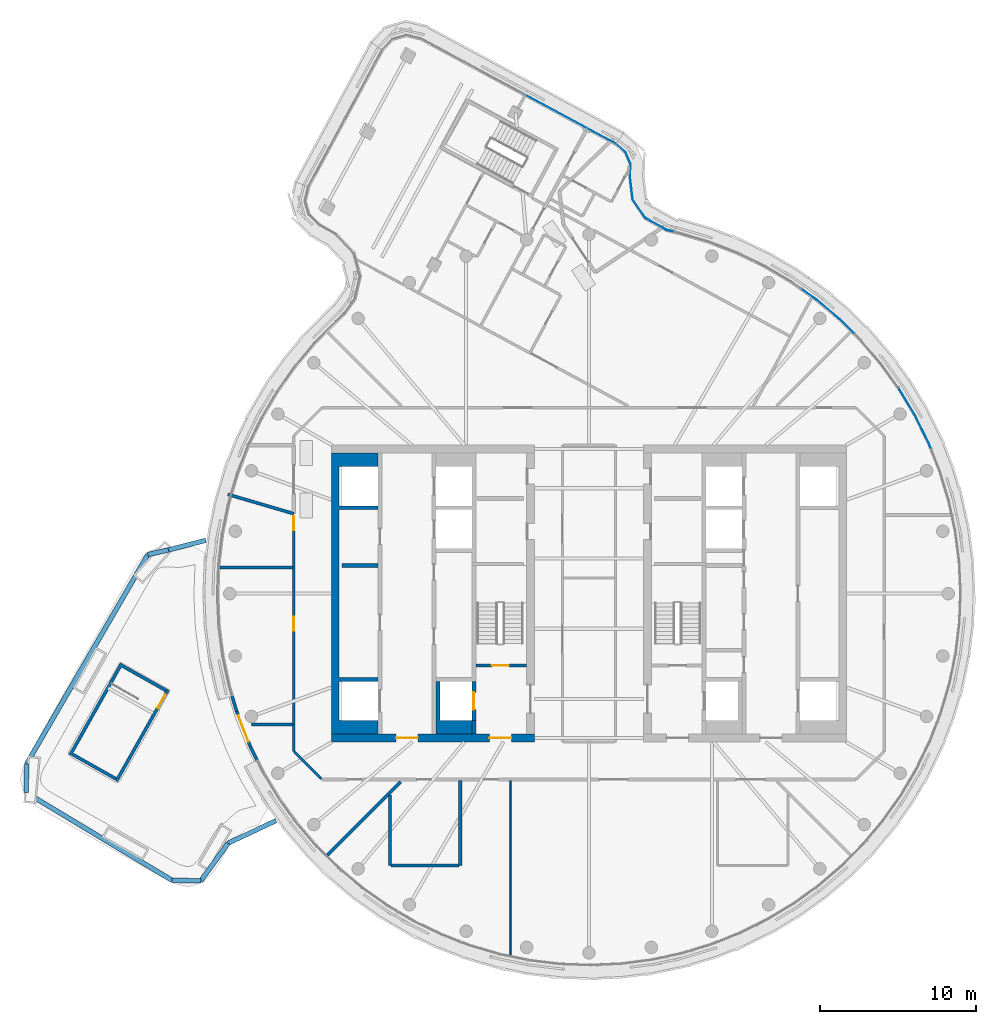
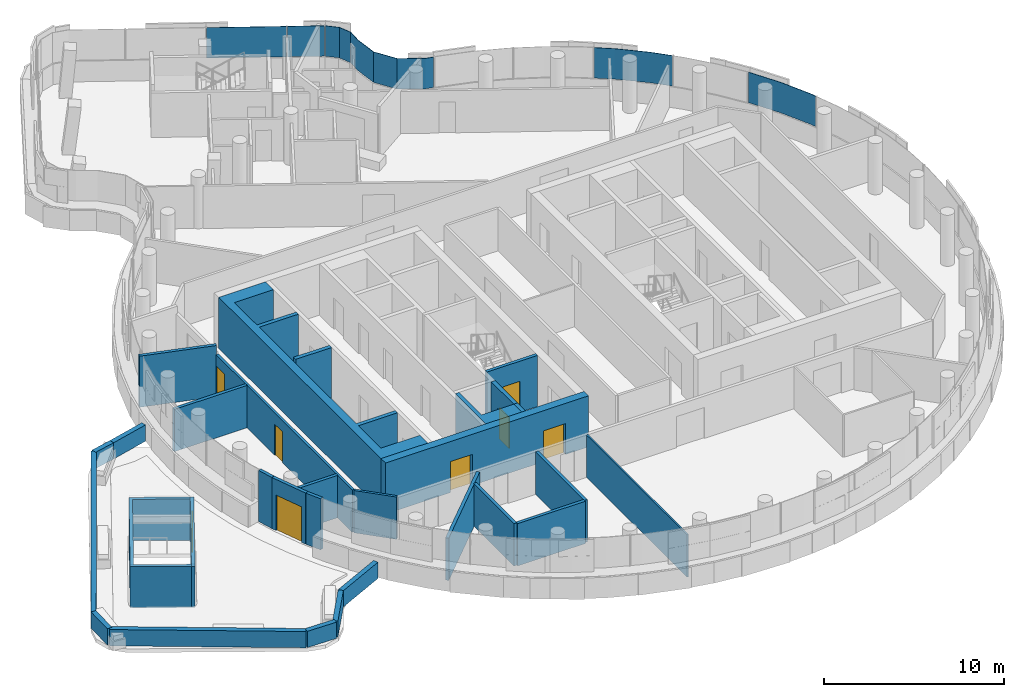
# One storey, part 13 of 22: 30 walls, 8 doors, 5 plates, 8 openings, 2 elements without a shape of their own.
"""IFC4 building model written with IfcOpenShell, lengths in metres."""

from ifc_helpers import new_model, si_unit, direction, frame, frame_2d, origin, place, context, subcontext, project, spatial, polyline, rectangle, outline, extrude, material, layer, layer_set, type_object, element, fill, aggregate, save


model = new_model("IFC4")

# Units and contexts
model_context = context("Model", 3, precision=1e-05, world=origin(), true_north=direction((0.0, 1.0)))
body_context = subcontext(model_context, "Body", "Model", "MODEL_VIEW")
ifc_project = project(units=[si_unit("LENGTHUNIT", "METRE"), si_unit("AREAUNIT", "SQUARE_METRE"), si_unit("VOLUMEUNIT", "CUBIC_METRE"), si_unit("PLANEANGLEUNIT", "RADIAN"), si_unit("MASSUNIT", "GRAM", prefix="KILO")], contexts=[model_context])

# Site, building, storey
site_placement = place(None, origin())
site = spatial("IfcSite", under=ifc_project, at=site_placement, CompositionType="ELEMENT")
building_placement = place(site_placement, origin())
building = spatial("IfcBuilding", under=site, at=building_placement, Name="Tamarind Cross Interchange Tower", CompositionType="ELEMENT")
storey_placement = place(building_placement, frame((0.0, 0.0, 256.800048828125)))
storey = spatial("IfcBuildingStorey", under=building, at=storey_placement, Name="L65", CompositionType="ELEMENT", Elevation=256.800048828125)

# Curtain wall, plates
ifc_material_1 = material(Name="Aluminium 6063-T6", Category="aluminium")
ifc_layer_1 = layer(ifc_material_1, 0.139892578125)
ifc_layer_set_1 = layer_set([ifc_layer_1], Name="Aluminium 6063-T6")
curtain_wall_type_1 = type_object("IfcCurtainWallType", Name="Hotel curtain wall, 4.5 m bays", PredefinedType="NOTDEFINED", material=ifc_layer_set_1)
curtain_wall_1_placement = place(storey_placement, origin())
curtain_wall_1 = element("IfcCurtainWall", 1, at=curtain_wall_1_placement, inside=storey, type_object=curtain_wall_type_1, Name="CWS-L65-02", PredefinedType="NOTDEFINED")
ifc_material_2 = material(Name="Laminated low-e glass 6+1.52+6", Category="glass")
ifc_layer_2 = layer(ifc_material_2, 0.02392578125)
ifc_layer_set_2 = layer_set([ifc_layer_2], Name="Laminated low-e glass 6+1.52+6")
plate_type_1 = type_object("IfcPlateType", Name="Vision panel CW2", PredefinedType="CURTAIN_PANEL", material=ifc_layer_set_2)
plate_1_placement = place(storey_placement, frame((0.0, 0.0, 1.39990234375)))
plate_1 = element("IfcPlate", 2, at=plate_1_placement, type_object=plate_type_1, Name="CWP-L65-02-00", PredefinedType="CURTAIN_PANEL", context=body_context, shape_type="SweptSolid", body=[
    extrude(outline(polyline([(1.696533203125, 28.7978515625), (-0.10693359375, 29.771240234375), (-0.095458984375, 29.79248046875), (1.7080078125, 28.819091796875), (1.696533203125, 28.7978515625)])), origin(), (0.0, 0.0, 1.0), 2.06005859375),
])
plate_2_placement = place(storey_placement, frame((0.0, 0.0, 1.39990234375)))
plate_2 = element("IfcPlate", 3, at=plate_2_placement, type_object=plate_type_1, Name="CWP-L65-02-01", PredefinedType="CURTAIN_PANEL", context=body_context, shape_type="SweptSolid", body=[
    extrude(outline(polyline([(-0.15966796875, 29.7998046875), (-4.053466796875, 31.9013671875), (-4.0419921875, 31.92236328125), (-0.1484375, 29.82080078125), (-0.15966796875, 29.7998046875)])), origin(), (0.0, 0.0, 1.0), 2.06005859375),
])
aggregate(curtain_wall_1, [plate_1, plate_2])

ifc_layer_3 = layer(ifc_material_1, 0.14990234375)
ifc_layer_set_3 = layer_set([ifc_layer_3], Name="Aluminium 6063-T6")
curtain_wall_type_2 = type_object("IfcCurtainWallType", Name="Winter garden and crown curtain wall", PredefinedType="NOTDEFINED", material=ifc_layer_set_3)
curtain_wall_2_placement = place(storey_placement, origin())
curtain_wall_2 = element("IfcCurtainWall", 4, at=curtain_wall_2_placement, inside=storey, type_object=curtain_wall_type_2, Name="CWS-L65-01", PredefinedType="NOTDEFINED")
ifc_material_3 = material(Name="Laminated low-e glass 8+1.52+8", Category="glass")
ifc_layer_4 = layer(ifc_material_3, 0.030029296875)
ifc_layer_set_4 = layer_set([ifc_layer_4], Name="Laminated low-e glass 8+1.52+8")
plate_type_2 = type_object("IfcPlateType", Name="Vision panel CW6", PredefinedType="CURTAIN_PANEL", material=ifc_layer_set_4)
plate_3_placement = place(storey_placement, frame((0.0, 0.0, 1.39990234375)))
plate_3 = element("IfcPlate", 5, at=plate_3_placement, type_object=plate_type_2, Name="CWP-L65-01-25", PredefinedType="CURTAIN_PANEL", context=body_context, shape_type="SweptSolid", body=[
    extrude(outline(polyline([(21.88232421875, 9.27685546875), (21.736572265625, 9.646240234375), (20.86572265625, 11.408203125), (19.852294921875, 13.09228515625), (19.80859375, 13.153076171875), (19.8330078125, 13.170654296875), (19.87744140625, 13.10888671875), (20.89208984375, 11.422607421875), (21.763916015625, 9.658447265625), (21.910400390625, 9.287841796875), (21.88232421875, 9.27685546875)])), origin(), (0.0, 0.0, 1.0), 2.06005859375),
])
plate_4_placement = place(storey_placement, frame((0.0, 0.0, 1.39990234375)))
plate_4 = element("IfcPlate", 6, at=plate_4_placement, type_object=plate_type_2, Name="CWP-L65-01-27", PredefinedType="CURTAIN_PANEL", context=body_context, shape_type="SweptSolid", body=[
    extrude(outline(polyline([(16.951904296875, 16.652099609375), (16.03076171875, 17.565185546875), (14.525634765625, 18.8291015625), (13.593017578125, 19.48876953125), (13.6103515625, 19.51318359375), (14.5439453125, 18.852783203125), (16.051025390625, 17.58740234375), (16.97314453125, 16.67333984375), (16.951904296875, 16.652099609375)])), origin(), (0.0, 0.0, 1.0), 2.06005859375),
])
plate_5_placement = place(storey_placement, frame((0.0, 0.0, 1.39990234375)))
plate_5 = element("IfcPlate", 7, at=plate_5_placement, type_object=plate_type_2, Name="CWP-L65-01-30", PredefinedType="CURTAIN_PANEL", context=body_context, shape_type="SweptSolid", body=[
    extrude(outline(polyline([(5.430419921875, 23.154052734375), (4.960693359375, 23.26953125), (3.6005859375, 24.0302734375), (2.7861328125, 25.24658203125), (2.609375, 26.67138671875), (2.64306640625, 27.5244140625), (2.331787109375, 28.24755859375), (1.741455078125, 28.76318359375), (1.76123046875, 28.78564453125), (2.3564453125, 28.265625), (2.67333984375, 27.530029296875), (2.639404296875, 26.672607421875), (2.815185546875, 25.25732421875), (3.62158203125, 24.052978515625), (4.971923828125, 23.2978515625), (5.4375, 23.18310546875), (5.430419921875, 23.154052734375)])), origin(), (0.0, 0.0, 1.0), 2.06005859375),
])
aggregate(curtain_wall_2, [plate_3, plate_4, plate_5])

# Walls
ifc_material_4 = material(Name="Concrete C40", Category="concrete")
ifc_layer_5 = layer(ifc_material_4, 0.199951171875)
ifc_layer_set_5 = layer_set([ifc_layer_5], Name="Concrete C40")
wall_type_1 = type_object("IfcWallType", Name="Balcony and garden door wall", PredefinedType="SOLIDWALL", material=ifc_layer_set_5)
for number, where, z_axis, x_axis, name in (
    (8, (-22.853515625, -6.565185546875, 0.0), (0.0, 0.0, 1.0), (0.289467248644, -0.957187918834, 0.0), "EXW-L65-01-D07L"),
    (9, (-21.69580078125, -9.76220703125, 0.0), (0.0, 0.0, 1.0), (0.442927569686, -0.896557398058, 0.0), "EXW-L65-01-D07R"),
):
    element("IfcWall", number, at=place(storey_placement, frame(where, z_axis=z_axis, x_axis=x_axis)), inside=storey, type_object=wall_type_1, Name=name, PredefinedType="SOLIDWALL", context=body_context, shape_type="SweptSolid", body=[
        extrude(rectangle(XDim=1.003662109375, YDim=0.199951171875, at=frame_2d((0.501953125, 0.0))), origin(), (0.0, 0.0, 1.0), 3.4599609375),
    ])

# Wall, opening, door
wall_1_placement = place(storey_placement, frame((-22.56298828125, -7.52587890625, 0.0), z_axis=(0.0, 0.0, 1.0), x_axis=(0.361542300479, -0.932355707316, 0.0)))
wall_1 = element("IfcWall", 10, at=wall_1_placement, inside=storey, type_object=wall_type_1, Name="EXW-L65-01-D07", PredefinedType="SOLIDWALL", context=body_context, shape_type="SweptSolid", body=[
    extrude(rectangle(XDim=2.398681640625, YDim=0.199951171875, at=frame_2d((1.19921875, 0.0))), origin(), (0.0, 0.0, 1.0), 3.4599609375),
])
opening_1_placement = place(wall_1_placement, frame((0.300048828125, 0.0, 0.0)))
opening_1 = element("IfcOpeningElement", 11, at=opening_1_placement, cuts=wall_1, Name="Opening D5", PredefinedType="OPENING", context=body_context, shape_type="SweptSolid", body=[
    extrude(rectangle(XDim=1.800048828125, YDim=2.39990234375, at=frame_2d((0.89990234375, 1.199951171875))), frame((0.0, 0.10986328125, 0.0), z_axis=(0.0, -1.0, 0.0), x_axis=(1.0, 0.0, 0.0)), (0.0, 0.0, 1.0), 0.219970703125),
])
ifc_material_5 = material(Name="Aluminium and toughened glass", Category="aluminium")
door_type_1 = type_object("IfcDoorType", Name="Roof garden door", OperationType="DOUBLE_DOOR_SINGLE_SWING", PredefinedType="DOOR", material=ifc_material_5)
door_1_placement = place(opening_1_placement, frame((1.800048828125, 0.0, 0.0), z_axis=(0.0, 0.0, 1.0), x_axis=(-1.0, 0.0, 0.0)))
door_1 = element("IfcDoor", 12, at=door_1_placement, inside=storey, type_object=door_type_1, Name="DOR-L65-01-07", OperationType="SINGLE_SWING_LEFT", OverallHeight=2.39990234375, OverallWidth=1.800048828125, PredefinedType="DOOR", context=body_context, shape_type="SweptSolid", body=[
    extrude(rectangle(XDim=1.800048828125, YDim=2.39990234375, at=frame_2d((0.89990234375, 1.199951171875))), frame((0.0, 0.02490234375, 0.0), z_axis=(0.0, -1.0, 0.0), x_axis=(1.0, 0.0, 0.0)), (0.0, 0.0, 1.0), 0.050048828125),
])
fill(opening_1, door_1)

# Wall
wall_2_placement = place(storey_placement, frame((-18.89990234375, 5.115966796875, 0.0), z_axis=(0.0, 0.0, 1.0), x_axis=(-0.959638098495, 0.281237835146, 0.0)))
element("IfcWall", 13, at=wall_2_placement, inside=storey, type_object=wall_type_1, Name="EXW-L65-WG-L65-NNa-R1", PredefinedType="SOLIDWALL", context=body_context, shape_type="SweptSolid", body=[
    extrude(rectangle(XDim=4.3994140625, YDim=0.199951171875, at=frame_2d((2.19970703125, 0.0))), origin(), (0.0, 0.0, 1.0), 3.4599609375),
])

# Wall, openings, doors
ifc_material_6 = material(Name="Concrete C50", Category="concrete")
ifc_layer_6 = layer(ifc_material_6, 0.5)
ifc_layer_set_6 = layer_set([ifc_layer_6], Name="Concrete C50")
wall_type_2 = type_object("IfcWallType", Name="Core wall 500 mm Concrete C50", PredefinedType="SHEAR", material=ifc_layer_set_6)
wall_3_placement = place(storey_placement, frame((-16.5, -9.25, 0.0), z_axis=(0.0, 0.0, 1.0), x_axis=(1.0, 0.0, 0.0)))
wall_3 = element("IfcWall", 14, at=wall_3_placement, inside=storey, type_object=wall_type_2, Name="Core wall CWL-L65-W-S", PredefinedType="SHEAR", context=body_context, shape_type="SweptSolid", body=[
    extrude(rectangle(XDim=13.0, YDim=0.5, at=frame_2d((6.5, 0.0))), origin(), (0.0, 0.0, 1.0), 3.4599609375),
])
opening_2_placement = place(wall_3_placement, frame((4.14990234375, 0.0, 0.0)))
opening_2 = element("IfcOpeningElement", 15, at=opening_2_placement, cuts=wall_3, Name="Opening DCW1", PredefinedType="OPENING", context=body_context, shape_type="SweptSolid", body=[
    extrude(rectangle(XDim=1.39990234375, YDim=2.10009765625, at=frame_2d((0.699951171875, 1.050048828125))), frame((0.0, 0.260009765625, 0.0), z_axis=(0.0, -1.0, 0.0), x_axis=(1.0, 0.0, 0.0)), (0.0, 0.0, 1.0), 0.52001953125),
])
opening_3_placement = place(wall_3_placement, frame((10.125, 0.0, 0.0)))
opening_3 = element("IfcOpeningElement", 16, at=opening_3_placement, cuts=wall_3, Name="Opening DCWF", PredefinedType="OPENING", context=body_context, shape_type="SweptSolid", body=[
    extrude(rectangle(XDim=1.39990234375, YDim=2.10009765625, at=frame_2d((0.699951171875, 1.050048828125))), frame((0.0, 0.260009765625, 0.0), z_axis=(0.0, -1.0, 0.0), x_axis=(1.0, 0.0, 0.0)), (0.0, 0.0, 1.0), 0.52001953125),
])
ifc_material_7 = material(Name="Steel, fire-resisting", Category="steel")
door_type_2 = type_object("IfcDoorType", Name="Core fire door 1400 x 2100 FD90", OperationType="SINGLE_SWING_LEFT", PredefinedType="DOOR", material=ifc_material_7)
door_2_placement = place(opening_2_placement, origin())
door_2 = element("IfcDoor", 17, at=door_2_placement, inside=storey, type_object=door_type_2, Name="L65 lift lobby door", OperationType="SINGLE_SWING_LEFT", OverallHeight=2.10009765625, OverallWidth=1.39990234375, PredefinedType="DOOR", context=body_context, shape_type="SweptSolid", body=[
    extrude(rectangle(XDim=1.39990234375, YDim=2.10009765625, at=frame_2d((0.699951171875, 1.050048828125))), frame((0.0, 0.02490234375, 0.0), z_axis=(0.0, -1.0, 0.0), x_axis=(1.0, 0.0, 0.0)), (0.0, 0.0, 1.0), 0.050048828125),
])
fill(opening_2, door_2)
door_3_placement = place(opening_3_placement, origin())
door_3 = element("IfcDoor", 18, at=door_3_placement, inside=storey, type_object=door_type_2, Name="L65 firefighting lobby end door", OperationType="SINGLE_SWING_LEFT", OverallHeight=2.10009765625, OverallWidth=1.39990234375, PredefinedType="DOOR", context=body_context, shape_type="SweptSolid", body=[
    extrude(rectangle(XDim=1.39990234375, YDim=2.10009765625, at=frame_2d((0.699951171875, 1.050048828125))), frame((0.0, 0.02490234375, 0.0), z_axis=(0.0, -1.0, 0.0), x_axis=(1.0, 0.0, 0.0)), (0.0, 0.0, 1.0), 0.050048828125),
])
fill(opening_3, door_3)

# Walls
wall_4_placement = place(storey_placement, origin())
element("IfcWall", 19, at=wall_4_placement, inside=storey, type_object=wall_type_2, Name="Core wall CWL-L65-W-A", PredefinedType="SHEAR", context=body_context, shape_type="SweptSolid", body=[
    extrude(outline(polyline([(-13.5, -8.125), (-16.0, -8.125), (-16.0, -5.625), (-13.5, -5.625), (-13.5, -5.375), (-16.0, -5.375), (-16.0, 5.375), (-13.5, 5.375), (-13.5, 5.625), (-16.0, 5.625), (-16.0, 8.125), (-13.5, 8.125), (-13.5, 9.0), (-16.0, 9.0), (-16.5, 9.0), (-16.5, -9.0), (-16.0, -9.0), (-13.5, -9.0), (-13.5, -8.125)])), origin(), (0.0, 0.0, 1.0), 3.4599609375),
])
ifc_layer_7 = layer(ifc_material_6, 0.25)
ifc_layer_set_7 = layer_set([ifc_layer_7], Name="Concrete C50")
wall_type_3 = type_object("IfcWallType", Name="Core web wall 250 mm Concrete C50", PredefinedType="SHEAR", material=ifc_layer_set_7)
wall_5_placement = place(storey_placement, origin())
element("IfcWall", 20, at=wall_5_placement, inside=storey, type_object=wall_type_3, Name="Core wall CWL-L65-W-BS", PredefinedType="SHEAR", context=body_context, shape_type="SweptSolid", body=[
    extrude(outline(polyline([(-7.5, -8.125), (-9.550048828125, -8.125), (-9.550048828125, -5.625), (-9.800048828125, -5.625), (-9.800048828125, -8.125), (-9.800048828125, -9.0), (-7.5, -9.0), (-7.5, -8.125)])), origin(), (0.0, 0.0, 1.0), 3.4599609375),
])
wall_6_placement = place(storey_placement, frame((-7.375, -9.0, 0.0), z_axis=(0.0, 0.0, 1.0), x_axis=(0.0, 1.0, 0.0)))
element("IfcWall", 21, at=wall_6_placement, inside=storey, type_object=wall_type_3, Name="Core wall CWL-L65-W-BW", PredefinedType="SHEAR", context=body_context, shape_type="SweptSolid", body=[
    extrude(rectangle(XDim=0.875, YDim=0.25, at=frame_2d((0.4375, 0.0))), origin(), (0.0, 0.0, 1.0), 3.4599609375),
])

# Wall, opening, door
wall_7_placement = place(storey_placement, frame((-7.375, -8.125, 0.0), z_axis=(0.0, 0.0, 1.0), x_axis=(0.0, 1.0, 0.0)))
wall_7 = element("IfcWall", 22, at=wall_7_placement, inside=storey, type_object=wall_type_3, Name="Core wall CWL-L65-W-FF", PredefinedType="SHEAR", context=body_context, shape_type="SweptSolid", body=[
    extrude(rectangle(XDim=2.5, YDim=0.25, at=frame_2d((1.25, 0.0))), origin(), (0.0, 0.0, 1.0), 3.4599609375),
])
opening_4_placement = place(wall_7_placement, frame((0.699951171875, 0.0, 0.0)))
opening_4 = element("IfcOpeningElement", 23, at=opening_4_placement, cuts=wall_7, Name="Opening LD7L65", PredefinedType="OPENING", context=body_context, shape_type="SweptSolid", body=[
    extrude(rectangle(XDim=1.10009765625, YDim=2.10009765625, at=frame_2d((0.550048828125, 1.050048828125))), frame((0.0, 0.135009765625, 0.0), z_axis=(0.0, -1.0, 0.0), x_axis=(1.0, 0.0, 0.0)), (0.0, 0.0, 1.0), 0.27001953125),
])
ifc_material_8 = material(Name="Stainless steel panel", Category="steel")
door_type_3 = type_object("IfcDoorType", Name="Lift landing door 1100 x 2100 E 120", OperationType="SLIDING_TO_LEFT", PredefinedType="DOOR", material=ifc_material_8)
door_4_placement = place(opening_4_placement, origin())
door_4 = element("IfcDoor", 24, at=door_4_placement, inside=storey, type_object=door_type_3, Name="L65 landing door LF7", OperationType="SLIDING_TO_LEFT", OverallHeight=2.10009765625, OverallWidth=1.10009765625, PredefinedType="DOOR", context=body_context, shape_type="SweptSolid", body=[
    extrude(rectangle(XDim=1.10009765625, YDim=2.10009765625, at=frame_2d((0.550048828125, 1.050048828125))), frame((0.0, 0.02490234375, 0.0), z_axis=(0.0, -1.0, 0.0), x_axis=(1.0, 0.0, 0.0)), (0.0, 0.0, 1.0), 0.050048828125),
])
fill(opening_4, door_4)

# Walls
ifc_layer_8 = layer(ifc_material_4, 0.300048828125)
ifc_layer_set_8 = layer_set([ifc_layer_8], Name="Concrete C40")
wall_type_4 = type_object("IfcWallType", Name="Parapet upstand", PredefinedType="PARAPET", material=ifc_layer_set_8)
wall_8_placement = place(storey_placement, frame((-24.529541015625, 3.410400390625, 0.0), z_axis=(0.0, 0.0, 1.0), x_axis=(-0.968975116265, -0.247158297573, 0.0)))
element("IfcWall", 25, at=wall_8_placement, inside=storey, type_object=wall_type_4, Name="EXW-L65-PRTW0-00", PredefinedType="PARAPET", context=body_context, shape_type="SweptSolid", body=[
    extrude(rectangle(XDim=2.471435546875, YDim=0.300048828125, at=frame_2d((1.23583984375, 0.0))), origin(), (0.0, 0.0, 1.0), 1.099853515625),
])
wall_9_placement = place(storey_placement, frame((-26.92431640625, 2.799560546875, 0.0), z_axis=(0.0, 0.0, 1.0), x_axis=(-0.974751966113, -0.223290404089, 0.0)))
element("IfcWall", 26, at=wall_9_placement, inside=storey, type_object=wall_type_4, Name="EXW-L65-PRTW0-01", PredefinedType="PARAPET", context=body_context, shape_type="SweptSolid", body=[
    extrude(rectangle(XDim=1.3525390625, YDim=0.300048828125, at=frame_2d((0.67626953125, 0.0))), origin(), (0.0, 0.0, 1.0), 1.099853515625),
])
wall_10_placement = place(storey_placement, frame((-28.24267578125, 2.49755859375, 0.0), z_axis=(0.0, 0.0, 1.0), x_axis=(-0.5013216616, -0.865260996238, 0.0)))
element("IfcWall", 27, at=wall_10_placement, inside=storey, type_object=wall_type_4, Name="EXW-L65-PRTW0-02", PredefinedType="PARAPET", context=body_context, shape_type="SweptSolid", body=[
    extrude(rectangle(XDim=15.4765625, YDim=0.300048828125, at=frame_2d((7.73828125, 0.0))), origin(), (0.0, 0.0, 1.0), 1.099853515625),
])
wall_11_placement = place(storey_placement, frame((-36.00146484375, -10.893798828125, 0.0), z_axis=(0.0, 0.0, 1.0), x_axis=(-0.018234050077, -0.999833745889, 0.0)))
element("IfcWall", 28, at=wall_11_placement, inside=storey, type_object=wall_type_4, Name="EXW-L65-PRTW0-03", PredefinedType="PARAPET", context=body_context, shape_type="SweptSolid", body=[
    extrude(rectangle(XDim=1.84765625, YDim=0.300048828125, at=frame_2d((0.923828125, 0.0))), origin(), (0.0, 0.0, 1.0), 1.099853515625),
])
wall_12_placement = place(storey_placement, frame((-36.03515625, -12.7412109375, 0.0), z_axis=(0.0, 0.0, 1.0), x_axis=(0.857047712516, -0.515237050756, 0.0)))
element("IfcWall", 29, at=wall_12_placement, inside=storey, type_object=wall_type_4, Name="EXW-L65-PRTW0-04", PredefinedType="PARAPET", context=body_context, shape_type="SweptSolid", body=[
    extrude(rectangle(XDim=10.89453125, YDim=0.300048828125, at=frame_2d((5.447265625, 0.0))), origin(), (0.0, 0.0, 1.0), 1.099853515625),
])
wall_13_placement = place(storey_placement, frame((-26.697998046875, -18.3544921875, 0.0), z_axis=(0.0, 0.0, 1.0), x_axis=(0.999833701949, -0.018236459274, 0.0)))
element("IfcWall", 30, at=wall_13_placement, inside=storey, type_object=wall_type_4, Name="EXW-L65-PRTW0-05", PredefinedType="PARAPET", context=body_context, shape_type="SweptSolid", body=[
    extrude(rectangle(XDim=1.847412109375, YDim=0.300048828125, at=frame_2d((0.923828125, 0.0))), origin(), (0.0, 0.0, 1.0), 1.099853515625),
])
wall_14_placement = place(storey_placement, frame((-24.850830078125, -18.38818359375, 0.0), z_axis=(0.0, 0.0, 1.0), x_axis=(0.586039444662, 0.810282524371, 0.0)))
element("IfcWall", 31, at=wall_14_placement, inside=storey, type_object=wall_type_4, Name="EXW-L65-PRTW0-06", PredefinedType="PARAPET", context=body_context, shape_type="SweptSolid", body=[
    extrude(rectangle(XDim=2.97119140625, YDim=0.300048828125, at=frame_2d((1.485595703125, 0.0))), origin(), (0.0, 0.0, 1.0), 1.099853515625),
])
wall_15_placement = place(storey_placement, frame((-23.109619140625, -15.980712890625, 0.0), z_axis=(0.0, 0.0, 1.0), x_axis=(0.904843078225, 0.42574523343, 0.0)))
element("IfcWall", 32, at=wall_15_placement, inside=storey, type_object=wall_type_4, Name="EXW-L65-PRTW0-07", PredefinedType="PARAPET", context=body_context, shape_type="SweptSolid", body=[
    extrude(rectangle(XDim=3.404541015625, YDim=0.300048828125, at=frame_2d((1.7021484375, 0.0))), origin(), (0.0, 0.0, 1.0), 1.099853515625),
])
ifc_material_9 = material(Name="Gypsum board partition on steel studs", Category="steel")
ifc_layer_9 = layer(ifc_material_9, 0.10009765625)
ifc_layer_set_9 = layer_set([ifc_layer_9], Name="Gypsum board partition on steel studs")
wall_type_5 = type_object("IfcWallType", Name="Partition 100 mm EI 90", PredefinedType="PARTITIONING", material=ifc_layer_set_9)
wall_16_placement = place(storey_placement, frame((-5.02197265625, -23.13720703125, 0.0), z_axis=(0.0, 0.0, 1.0), x_axis=(0.0, 1.0, 0.0)))
element("IfcWall", 33, at=wall_16_placement, inside=storey, type_object=wall_type_5, Name="Partition L65-047", PredefinedType="PARTITIONING", context=body_context, shape_type="SweptSolid", body=[
    extrude(rectangle(XDim=11.1572265625, YDim=0.10009765625, at=frame_2d((5.57861328125, 0.0))), origin(), (0.0, 0.0, 1.0), 2.864013671875),
])
ifc_layer_10 = layer(ifc_material_9, 0.14990234375)
ifc_layer_set_10 = layer_set([ifc_layer_10], Name="Gypsum board partition on steel studs")
wall_type_6 = type_object("IfcWallType", Name="Partition 150 mm EI 120", PredefinedType="PARTITIONING", material=ifc_layer_set_10)
wall_17_placement = place(storey_placement, frame((-18.87158203125, -10.12841796875, 0.0), z_axis=(0.0, 0.0, 1.0), x_axis=(0.707106781187, -0.707106781187, 0.0)))
element("IfcWall", 34, at=wall_17_placement, inside=storey, type_object=wall_type_6, Name="Partition L65-001", PredefinedType="PARTITIONING", context=body_context, shape_type="SweptSolid", body=[
    extrude(rectangle(XDim=2.455078125, YDim=0.14990234375, at=frame_2d((1.2275390625, 0.0))), origin(), (0.0, 0.0, 1.0), 2.864013671875),
])

# Wall, openings, doors
wall_18_placement = place(storey_placement, frame((-18.89990234375, -10.10009765625, 0.0), z_axis=(0.0, 0.0, 1.0), x_axis=(0.0, 1.0, 0.0)))
wall_18 = element("IfcWall", 35, at=wall_18_placement, inside=storey, type_object=wall_type_6, Name="Partition L65-043", PredefinedType="PARTITIONING", context=body_context, shape_type="SweptSolid", body=[
    extrude(rectangle(XDim=15.1162109375, YDim=0.14990234375, at=frame_2d((7.55810546875, 0.0))), origin(), (0.0, 0.0, 1.0), 2.864013671875),
])
opening_5_placement = place(wall_18_placement, frame((7.72900390625, 0.0, 0.0)))
opening_5 = element("IfcOpeningElement", 36, at=opening_5_placement, cuts=wall_18, Name="Opening D20", PredefinedType="OPENING", context=body_context, shape_type="SweptSolid", body=[
    extrude(rectangle(XDim=0.89990234375, YDim=2.10009765625, at=frame_2d((0.449951171875, 1.050048828125))), frame((0.0, 0.0849609375, 0.0), z_axis=(0.0, -1.0, 0.0), x_axis=(1.0, 0.0, 0.0)), (0.0, 0.0, 1.0), 0.169921875),
])
opening_6_placement = place(wall_18_placement, frame((14.166015625, 0.0, 0.0)))
opening_6 = element("IfcOpeningElement", 37, at=opening_6_placement, cuts=wall_18, Name="Opening D21", PredefinedType="OPENING", context=body_context, shape_type="SweptSolid", body=[
    extrude(rectangle(XDim=0.89990234375, YDim=2.10009765625, at=frame_2d((0.449951171875, 1.050048828125))), frame((0.0, 0.0849609375, 0.0), z_axis=(0.0, -1.0, 0.0), x_axis=(1.0, 0.0, 0.0)), (0.0, 0.0, 1.0), 0.169921875),
])
ifc_material_10 = material(Name="Fire-resisting door set")
door_type_4 = type_object("IfcDoorType", Name="Interior door 900 x 2100 FD60S", OperationType="SINGLE_SWING_LEFT", PredefinedType="DOOR", material=ifc_material_10)
door_5_placement = place(opening_5_placement, origin())
door_5 = element("IfcDoor", 38, at=door_5_placement, inside=storey, type_object=door_type_4, Name="Door D20", OperationType="SINGLE_SWING_LEFT", OverallHeight=2.10009765625, OverallWidth=0.89990234375, PredefinedType="DOOR", context=body_context, shape_type="SweptSolid", body=[
    extrude(rectangle(XDim=0.89990234375, YDim=2.10009765625, at=frame_2d((0.449951171875, 1.050048828125))), frame((0.0, 0.02490234375, 0.0), z_axis=(0.0, -1.0, 0.0), x_axis=(1.0, 0.0, 0.0)), (0.0, 0.0, 1.0), 0.050048828125),
])
fill(opening_5, door_5)
door_6_placement = place(opening_6_placement, origin())
door_6 = element("IfcDoor", 39, at=door_6_placement, inside=storey, type_object=door_type_4, Name="Door D21", OperationType="SINGLE_SWING_LEFT", OverallHeight=2.10009765625, OverallWidth=0.89990234375, PredefinedType="DOOR", context=body_context, shape_type="SweptSolid", body=[
    extrude(rectangle(XDim=0.89990234375, YDim=2.10009765625, at=frame_2d((0.449951171875, 1.050048828125))), frame((0.0, 0.02490234375, 0.0), z_axis=(0.0, -1.0, 0.0), x_axis=(1.0, 0.0, 0.0)), (0.0, 0.0, 1.0), 0.050048828125),
])
fill(opening_6, door_6)

# Walls
ifc_layer_11 = layer(ifc_material_9, 0.199951171875)
ifc_layer_set_11 = layer_set([ifc_layer_11], Name="Gypsum board partition on steel studs")
wall_type_7 = type_object("IfcWallType", Name="Partition 200 mm EI 180", PredefinedType="PARTITIONING", material=ifc_layer_set_11)
wall_19_placement = place(storey_placement, frame((-23.628662109375, 1.674072265625, 0.0), z_axis=(0.0, 0.0, 1.0), x_axis=(1.0, 0.0, 0.0)))
element("IfcWall", 40, at=wall_19_placement, inside=storey, type_object=wall_type_7, Name="Partition L65-017", PredefinedType="PARTITIONING", context=body_context, shape_type="SweptSolid", body=[
    extrude(rectangle(XDim=4.673583984375, YDim=0.199951171875, at=frame_2d((2.3369140625, 0.0))), origin(), (0.0, 0.0, 1.0), 2.864013671875),
])
wall_20_placement = place(storey_placement, frame((-21.623779296875, -8.37109375, 0.0), z_axis=(0.0, 0.0, 1.0), x_axis=(1.0, 0.0, 0.0)))
element("IfcWall", 41, at=wall_20_placement, inside=storey, type_object=wall_type_7, Name="Partition L65-018", PredefinedType="PARTITIONING", context=body_context, shape_type="SweptSolid", body=[
    extrude(rectangle(XDim=2.668701171875, YDim=0.199951171875, at=frame_2d((1.33447265625, 0.0))), origin(), (0.0, 0.0, 1.0), 2.864013671875),
])
wall_21_placement = place(storey_placement, frame((-12.660888671875, -17.39990234375, 0.0), z_axis=(0.0, 0.0, 1.0), x_axis=(1.0, 0.0, 0.0)))
element("IfcWall", 42, at=wall_21_placement, inside=storey, type_object=wall_type_7, Name="Partition L65-021", PredefinedType="PARTITIONING", context=body_context, shape_type="SweptSolid", body=[
    extrude(rectangle(XDim=4.33984375, YDim=0.199951171875, at=frame_2d((2.169921875, 0.0))), origin(), (0.0, 0.0, 1.0), 2.864013671875),
])
wall_22_placement = place(storey_placement, frame((-16.740478515625, -16.740478515625, 0.0), z_axis=(0.0, 0.0, 1.0), x_axis=(0.707106781187, 0.707106781187, 0.0)))
element("IfcWall", 43, at=wall_22_placement, inside=storey, type_object=wall_type_7, Name="Partition L65-028", PredefinedType="PARTITIONING", context=body_context, shape_type="SweptSolid", body=[
    extrude(rectangle(XDim=6.630615234375, YDim=0.199951171875, at=frame_2d((3.3154296875, 0.0))), origin(), (0.0, 0.0, 1.0), 2.864013671875),
])
wall_23_placement = place(storey_placement, frame((-12.740966796875, -17.39990234375, 0.0), z_axis=(0.0, 0.0, 1.0), x_axis=(0.0, 1.0, 0.0)))
element("IfcWall", 44, at=wall_23_placement, inside=storey, type_object=wall_type_7, Name="Partition L65-045", PredefinedType="PARTITIONING", context=body_context, shape_type="SweptSolid", body=[
    extrude(rectangle(XDim=4.4990234375, YDim=0.199951171875, at=frame_2d((2.24951171875, 0.0))), origin(), (0.0, 0.0, 1.0), 2.864013671875),
])
wall_24_placement = place(storey_placement, frame((-8.240966796875, -17.39990234375, 0.0), z_axis=(0.0, 0.0, 1.0), x_axis=(0.0, 1.0, 0.0)))
element("IfcWall", 45, at=wall_24_placement, inside=storey, type_object=wall_type_7, Name="Partition L65-046", PredefinedType="PARTITIONING", context=body_context, shape_type="SweptSolid", body=[
    extrude(rectangle(XDim=5.419921875, YDim=0.199951171875, at=frame_2d((2.7099609375, 0.0))), origin(), (0.0, 0.0, 1.0), 2.864013671875),
])
ifc_layer_12 = layer(ifc_material_4, 0.25)
ifc_layer_set_12 = layer_set([ifc_layer_12], Name="Concrete C40")
wall_type_8 = type_object("IfcWallType", Name="Shaft and lobby wall 250 mm Concrete C40", PredefinedType="PARTITIONING", material=ifc_layer_set_12)
wall_25_placement = place(storey_placement, frame((-15.800048828125, 1.7919921875, 0.0), z_axis=(0.0, 0.0, 1.0), x_axis=(1.0, 0.0, 0.0)))
element("IfcWall", 46, at=wall_25_placement, inside=storey, type_object=wall_type_8, Name="Shaft wall CWL-L65-W-FPA1", PredefinedType="PARTITIONING", context=body_context, shape_type="SweptSolid", body=[
    extrude(rectangle(XDim=2.300048828125, YDim=0.25, at=frame_2d((1.14990234375, 0.0))), origin(), (0.0, 0.0, 1.0), 3.4599609375),
])

# Wall, opening, door
ifc_layer_13 = layer(ifc_material_4, 0.199951171875)
ifc_layer_set_13 = layer_set([ifc_layer_13], Name="Concrete C40")
wall_type_9 = type_object("IfcWallType", Name="Stair shaft wall 200 mm Concrete C40", PredefinedType="SHEAR", material=ifc_layer_set_13)
wall_26_placement = place(storey_placement, frame((-7.25, -4.60009765625, 0.0), z_axis=(0.0, 0.0, 1.0), x_axis=(1.0, 0.0, 0.0)))
wall_26 = element("IfcWall", 47, at=wall_26_placement, inside=storey, type_object=wall_type_9, Name="Core wall CWL-L65-W-SD", PredefinedType="SHEAR", context=body_context, shape_type="SweptSolid", body=[
    extrude(rectangle(XDim=3.25, YDim=0.199951171875, at=frame_2d((1.625, 0.0))), origin(), (0.0, 0.0, 1.0), 3.4599609375),
])
opening_7_placement = place(wall_26_placement, frame((1.02490234375, 0.0, 0.0)))
opening_7 = element("IfcOpeningElement", 48, at=opening_7_placement, cuts=wall_26, Name="Opening DCW6", PredefinedType="OPENING", context=body_context, shape_type="SweptSolid", body=[
    extrude(rectangle(XDim=1.10009765625, YDim=2.10009765625, at=frame_2d((0.550048828125, 1.050048828125))), frame((0.0, 0.10986328125, 0.0), z_axis=(0.0, -1.0, 0.0), x_axis=(1.0, 0.0, 0.0)), (0.0, 0.0, 1.0), 0.219970703125),
])
door_type_5 = type_object("IfcDoorType", Name="Core fire door 1100 x 2100 FD90", OperationType="SINGLE_SWING_LEFT", PredefinedType="DOOR", material=ifc_material_7)
door_7_placement = place(opening_7_placement, origin())
door_7 = element("IfcDoor", 49, at=door_7_placement, inside=storey, type_object=door_type_5, Name="L65 stair door", OperationType="SINGLE_SWING_LEFT", OverallHeight=2.10009765625, OverallWidth=1.10009765625, PredefinedType="DOOR", context=body_context, shape_type="SweptSolid", body=[
    extrude(rectangle(XDim=1.10009765625, YDim=2.10009765625, at=frame_2d((0.550048828125, 1.050048828125))), frame((0.0, 0.02490234375, 0.0), z_axis=(0.0, -1.0, 0.0), x_axis=(1.0, 0.0, 0.0)), (0.0, 0.0, 1.0), 0.050048828125),
])
fill(opening_7, door_7)

wall_27_placement = place(storey_placement, frame((-26.9619140625, -6.1572265625, 0.0), z_axis=(0.0, 0.0, 1.0), x_axis=(-0.490918532451, -0.871205483509, 0.0)))
wall_27 = element("IfcWall", 50, at=wall_27_placement, inside=storey, type_object=wall_type_9, Name="Core wall CWL-L65-ST5-HH", PredefinedType="SHEAR", context=body_context, shape_type="SweptSolid", body=[
    extrude(rectangle(XDim=6.69970703125, YDim=0.199951171875, at=frame_2d((3.349853515625, 0.0))), origin(), (0.0, 0.0, 1.0), 2.800048828125),
])
opening_8_placement = place(wall_27_placement, frame((0.35009765625, 0.0, 0.0)))
opening_8 = element("IfcOpeningElement", 51, at=opening_8_placement, cuts=wall_27, Name="Opening ST5R", PredefinedType="OPENING", context=body_context, shape_type="SweptSolid", body=[
    extrude(rectangle(XDim=1.0, YDim=2.10009765625, at=frame_2d((0.5, 1.050048828125))), frame((0.0, 0.10986328125, 0.0), z_axis=(0.0, -1.0, 0.0), x_axis=(1.0, 0.0, 0.0)), (0.0, 0.0, 1.0), 0.219970703125),
])
door_type_6 = type_object("IfcDoorType", Name="Core fire door 1000 x 2100 FD90", OperationType="SINGLE_SWING_LEFT", PredefinedType="DOOR", material=ifc_material_7)
door_8_placement = place(opening_8_placement, origin())
door_8 = element("IfcDoor", 52, at=door_8_placement, inside=storey, type_object=door_type_6, Name="L65 roof terrace door ST5", OperationType="SINGLE_SWING_LEFT", OverallHeight=2.10009765625, OverallWidth=1.0, PredefinedType="DOOR", context=body_context, shape_type="SweptSolid", body=[
    extrude(rectangle(XDim=1.0, YDim=2.10009765625, at=frame_2d((0.5, 1.050048828125))), frame((0.0, 0.02490234375, 0.0), z_axis=(0.0, -1.0, 0.0), x_axis=(1.0, 0.0, 0.0)), (0.0, 0.0, 1.0), 0.050048828125),
])
fill(opening_8, door_8)

# Wall
wall_28_placement = place(storey_placement, origin())
element("IfcWall", 53, at=wall_28_placement, inside=storey, type_object=wall_type_9, Name="Core wall CWL-L65-ST5-HC", PredefinedType="SHEAR", context=body_context, shape_type="SweptSolid", body=[
    extrude(outline(polyline([(-30.010986328125, -4.43896484375), (-33.30029296875, -10.27587890625), (-30.338134765625, -11.945068359375), (-30.239990234375, -11.77099609375), (-33.02783203125, -10.199951171875), (-29.934814453125, -4.711181640625), (-27.147216796875, -6.2822265625), (-27.048828125, -6.108154296875), (-30.010986328125, -4.43896484375)])), origin(), (0.0, 0.0, 1.0), 2.800048828125),
])

save(model, "model.ifc")
